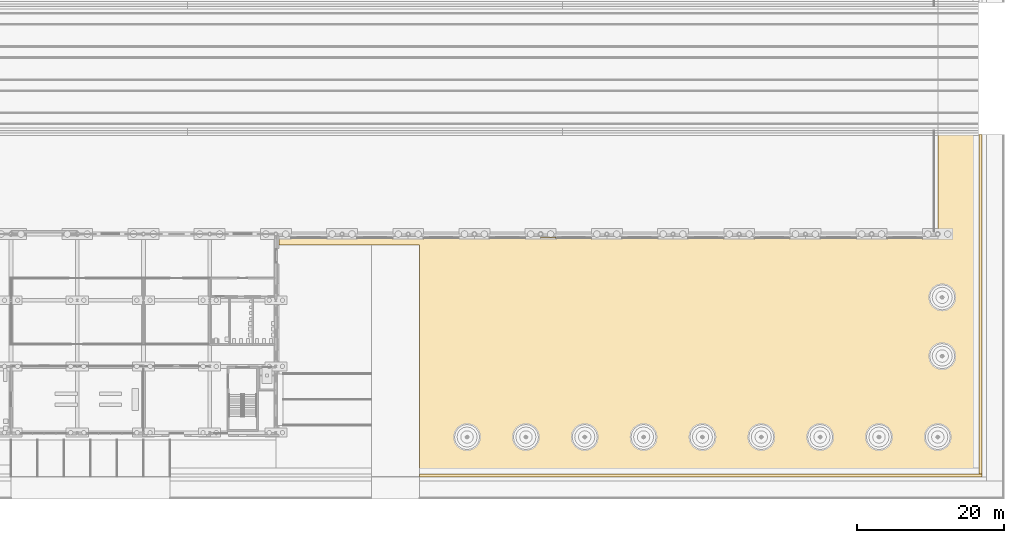
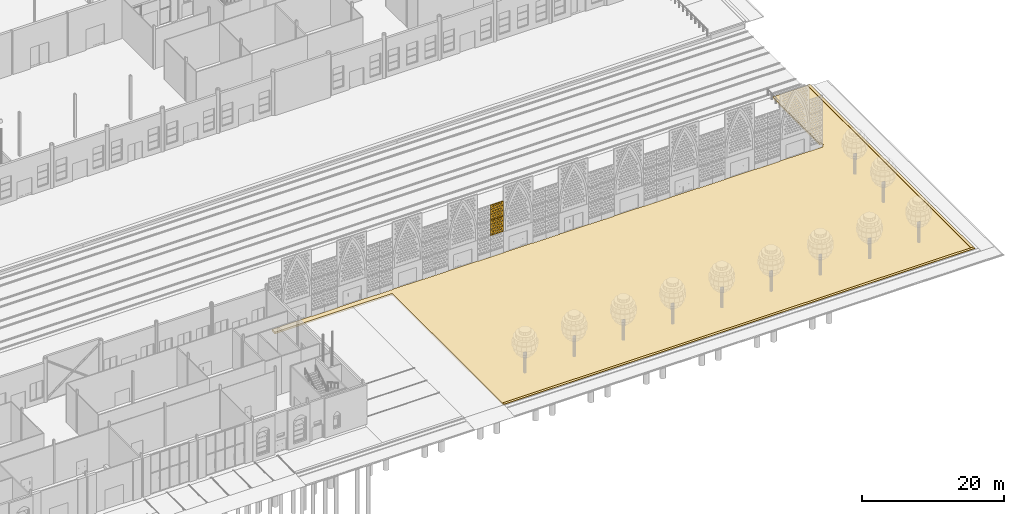
# One storey, part 197 of 250: 3 coverings, 2 shading devices.
"""IFC4 building model written with IfcOpenShell, lengths in metres."""

from ifc_helpers import new_model, si_unit, direction, frame, origin, place, context, subcontext, project, spatial, polyline, outline, extrude, material, layer, layer_set, type_object, element, save


model = new_model("IFC4")

# Units and contexts
model_context = context("Model", 3, precision=1e-05, world=origin(), true_north=direction((0.0, 1.0)))
body_context = subcontext(model_context, "Body", "Model", "MODEL_VIEW")
ifc_project = project(units=[si_unit("LENGTHUNIT", "METRE"), si_unit("AREAUNIT", "SQUARE_METRE"), si_unit("VOLUMEUNIT", "CUBIC_METRE"), si_unit("PLANEANGLEUNIT", "RADIAN"), si_unit("MASSUNIT", "GRAM", prefix="KILO")], contexts=[model_context])

# Site, building, storey
site_placement = place(None, origin())
site = spatial("IfcSite", under=ifc_project, at=site_placement, CompositionType="ELEMENT")
building_placement = place(site_placement, origin())
building = spatial("IfcBuilding", under=site, at=building_placement, Name="Baradari Gate Terminus", CompositionType="ELEMENT")
storey_placement = place(building_placement, origin())
storey = spatial("IfcBuildingStorey", under=building, at=storey_placement, Name="L00", CompositionType="ELEMENT", Elevation=0.0)

# Shading devices
ifc_material_1 = material(Name="Concrete C50/60 precast", Category="concrete")
ifc_layer_1 = layer(ifc_material_1, 0.1201171875)
ifc_layer_set_1 = layer_set([ifc_layer_1], Name="Concrete C50/60 precast")
shading_device_type = type_object("IfcShadingDeviceType", Name="Jali screen panel JS-2 120", PredefinedType="SHUTTER", material=ifc_layer_set_1)
shading_device_1_placement = place(storey_placement, frame((189.0, 35.52001953125, 3.52490234375), z_axis=(0.0, 0.0, 1.0), x_axis=(1.0, 0.0, 0.0)))
element("IfcShadingDevice", 1, at=shading_device_1_placement, inside=storey, type_object=shading_device_type, Name="Jali screen panel JS-2 SC04a row 2 panel 1", PredefinedType="SHUTTER", context=body_context, shape_type="SweptSolid", body=[
    extrude(outline(polyline([(0.0, 0.0), (2.10009765625, 0.0), (2.10009765625, 2.625), (0.0, 2.625), (0.0, 0.0)]), holes=[polyline([(0.340087890625, 0.21875), (0.27490234375, 0.106201171875), (0.14501953125, 0.106201171875), (0.080078125, 0.21875), (0.14501953125, 0.33154296875), (0.27490234375, 0.33154296875), (0.340087890625, 0.21875)]), polyline([(0.760009765625, 0.21875), (0.695068359375, 0.106201171875), (0.56494140625, 0.106201171875), (0.5, 0.21875), (0.56494140625, 0.33154296875), (0.695068359375, 0.33154296875), (0.760009765625, 0.21875)]), polyline([(1.179931640625, 0.21875), (1.114990234375, 0.106201171875), (0.985107421875, 0.106201171875), (0.919921875, 0.21875), (0.985107421875, 0.33154296875), (1.114990234375, 0.33154296875), (1.179931640625, 0.21875)]), polyline([(1.60009765625, 0.21875), (1.534912109375, 0.106201171875), (1.405029296875, 0.106201171875), (1.340087890625, 0.21875), (1.405029296875, 0.33154296875), (1.534912109375, 0.33154296875), (1.60009765625, 0.21875)]), polyline([(2.02001953125, 0.21875), (1.955078125, 0.106201171875), (1.824951171875, 0.106201171875), (1.760009765625, 0.21875), (1.824951171875, 0.33154296875), (1.955078125, 0.33154296875), (2.02001953125, 0.21875)]), polyline([(0.550048828125, 0.65625), (0.485107421875, 0.543701171875), (0.35498046875, 0.543701171875), (0.2900390625, 0.65625), (0.35498046875, 0.76904296875), (0.485107421875, 0.76904296875), (0.550048828125, 0.65625)]), polyline([(0.969970703125, 0.65625), (0.905029296875, 0.543701171875), (0.77490234375, 0.543701171875), (0.7099609375, 0.65625), (0.77490234375, 0.76904296875), (0.905029296875, 0.76904296875), (0.969970703125, 0.65625)]), polyline([(1.389892578125, 0.65625), (1.324951171875, 0.543701171875), (1.195068359375, 0.543701171875), (1.1298828125, 0.65625), (1.195068359375, 0.76904296875), (1.324951171875, 0.76904296875), (1.389892578125, 0.65625)]), polyline([(1.81005859375, 0.65625), (1.7451171875, 0.543701171875), (1.614990234375, 0.543701171875), (1.550048828125, 0.65625), (1.614990234375, 0.76904296875), (1.7451171875, 0.76904296875), (1.81005859375, 0.65625)]), polyline([(0.340087890625, 1.09375), (0.27490234375, 0.981201171875), (0.14501953125, 0.981201171875), (0.080078125, 1.09375), (0.14501953125, 1.20654296875), (0.27490234375, 1.20654296875), (0.340087890625, 1.09375)]), polyline([(0.760009765625, 1.09375), (0.695068359375, 0.981201171875), (0.56494140625, 0.981201171875), (0.5, 1.09375), (0.56494140625, 1.20654296875), (0.695068359375, 1.20654296875), (0.760009765625, 1.09375)]), polyline([(1.179931640625, 1.09375), (1.114990234375, 0.981201171875), (0.985107421875, 0.981201171875), (0.919921875, 1.09375), (0.985107421875, 1.20654296875), (1.114990234375, 1.20654296875), (1.179931640625, 1.09375)]), polyline([(1.60009765625, 1.09375), (1.534912109375, 0.981201171875), (1.405029296875, 0.981201171875), (1.340087890625, 1.09375), (1.405029296875, 1.20654296875), (1.534912109375, 1.20654296875), (1.60009765625, 1.09375)]), polyline([(2.02001953125, 1.09375), (1.955078125, 0.981201171875), (1.824951171875, 0.981201171875), (1.760009765625, 1.09375), (1.824951171875, 1.20654296875), (1.955078125, 1.20654296875), (2.02001953125, 1.09375)]), polyline([(0.550048828125, 1.53125), (0.485107421875, 1.418701171875), (0.35498046875, 1.418701171875), (0.2900390625, 1.53125), (0.35498046875, 1.64404296875), (0.485107421875, 1.64404296875), (0.550048828125, 1.53125)]), polyline([(0.969970703125, 1.53125), (0.905029296875, 1.418701171875), (0.77490234375, 1.418701171875), (0.7099609375, 1.53125), (0.77490234375, 1.64404296875), (0.905029296875, 1.64404296875), (0.969970703125, 1.53125)]), polyline([(1.389892578125, 1.53125), (1.324951171875, 1.418701171875), (1.195068359375, 1.418701171875), (1.1298828125, 1.53125), (1.195068359375, 1.64404296875), (1.324951171875, 1.64404296875), (1.389892578125, 1.53125)]), polyline([(1.81005859375, 1.53125), (1.7451171875, 1.418701171875), (1.614990234375, 1.418701171875), (1.550048828125, 1.53125), (1.614990234375, 1.64404296875), (1.7451171875, 1.64404296875), (1.81005859375, 1.53125)]), polyline([(0.340087890625, 1.96875), (0.27490234375, 1.856201171875), (0.14501953125, 1.856201171875), (0.080078125, 1.96875), (0.14501953125, 2.08154296875), (0.27490234375, 2.08154296875), (0.340087890625, 1.96875)]), polyline([(0.760009765625, 1.96875), (0.695068359375, 1.856201171875), (0.56494140625, 1.856201171875), (0.5, 1.96875), (0.56494140625, 2.08154296875), (0.695068359375, 2.08154296875), (0.760009765625, 1.96875)]), polyline([(1.179931640625, 1.96875), (1.114990234375, 1.856201171875), (0.985107421875, 1.856201171875), (0.919921875, 1.96875), (0.985107421875, 2.08154296875), (1.114990234375, 2.08154296875), (1.179931640625, 1.96875)]), polyline([(1.60009765625, 1.96875), (1.534912109375, 1.856201171875), (1.405029296875, 1.856201171875), (1.340087890625, 1.96875), (1.405029296875, 2.08154296875), (1.534912109375, 2.08154296875), (1.60009765625, 1.96875)]), polyline([(2.02001953125, 1.96875), (1.955078125, 1.856201171875), (1.824951171875, 1.856201171875), (1.760009765625, 1.96875), (1.824951171875, 2.08154296875), (1.955078125, 2.08154296875), (2.02001953125, 1.96875)]), polyline([(0.550048828125, 2.40625), (0.485107421875, 2.293701171875), (0.35498046875, 2.293701171875), (0.2900390625, 2.40625), (0.35498046875, 2.51904296875), (0.485107421875, 2.51904296875), (0.550048828125, 2.40625)]), polyline([(0.969970703125, 2.40625), (0.905029296875, 2.293701171875), (0.77490234375, 2.293701171875), (0.7099609375, 2.40625), (0.77490234375, 2.51904296875), (0.905029296875, 2.51904296875), (0.969970703125, 2.40625)]), polyline([(1.389892578125, 2.40625), (1.324951171875, 2.293701171875), (1.195068359375, 2.293701171875), (1.1298828125, 2.40625), (1.195068359375, 2.51904296875), (1.324951171875, 2.51904296875), (1.389892578125, 2.40625)]), polyline([(1.81005859375, 2.40625), (1.7451171875, 2.293701171875), (1.614990234375, 2.293701171875), (1.550048828125, 2.40625), (1.614990234375, 2.51904296875), (1.7451171875, 2.51904296875), (1.81005859375, 2.40625)])]), frame((0.0, 0.06005859375, 0.0), z_axis=(0.0, -1.0, 0.0), x_axis=(1.0, 0.0, 0.0)), (0.0, 0.0, 1.0), 0.1201171875),
])
shading_device_2_placement = place(storey_placement, frame((189.0, 35.52001953125, 6.14990234375), z_axis=(0.0, 0.0, 1.0), x_axis=(1.0, 0.0, 0.0)))
element("IfcShadingDevice", 2, at=shading_device_2_placement, inside=storey, type_object=shading_device_type, Name="Jali screen panel JS-2 SC04a row 3 panel 1", PredefinedType="SHUTTER", context=body_context, shape_type="SweptSolid", body=[
    extrude(outline(polyline([(0.0, 0.0), (2.10009765625, 0.0), (2.10009765625, 2.625), (0.0, 2.625), (0.0, 0.0)]), holes=[polyline([(0.340087890625, 0.21875), (0.27490234375, 0.106201171875), (0.14501953125, 0.106201171875), (0.080078125, 0.21875), (0.14501953125, 0.33154296875), (0.27490234375, 0.33154296875), (0.340087890625, 0.21875)]), polyline([(0.760009765625, 0.21875), (0.695068359375, 0.106201171875), (0.56494140625, 0.106201171875), (0.5, 0.21875), (0.56494140625, 0.33154296875), (0.695068359375, 0.33154296875), (0.760009765625, 0.21875)]), polyline([(1.179931640625, 0.21875), (1.114990234375, 0.106201171875), (0.985107421875, 0.106201171875), (0.919921875, 0.21875), (0.985107421875, 0.33154296875), (1.114990234375, 0.33154296875), (1.179931640625, 0.21875)]), polyline([(1.60009765625, 0.21875), (1.534912109375, 0.106201171875), (1.405029296875, 0.106201171875), (1.340087890625, 0.21875), (1.405029296875, 0.33154296875), (1.534912109375, 0.33154296875), (1.60009765625, 0.21875)]), polyline([(2.02001953125, 0.21875), (1.955078125, 0.106201171875), (1.824951171875, 0.106201171875), (1.760009765625, 0.21875), (1.824951171875, 0.33154296875), (1.955078125, 0.33154296875), (2.02001953125, 0.21875)]), polyline([(0.550048828125, 0.65625), (0.485107421875, 0.543701171875), (0.35498046875, 0.543701171875), (0.2900390625, 0.65625), (0.35498046875, 0.76904296875), (0.485107421875, 0.76904296875), (0.550048828125, 0.65625)]), polyline([(0.969970703125, 0.65625), (0.905029296875, 0.543701171875), (0.77490234375, 0.543701171875), (0.7099609375, 0.65625), (0.77490234375, 0.76904296875), (0.905029296875, 0.76904296875), (0.969970703125, 0.65625)]), polyline([(1.389892578125, 0.65625), (1.324951171875, 0.543701171875), (1.195068359375, 0.543701171875), (1.1298828125, 0.65625), (1.195068359375, 0.76904296875), (1.324951171875, 0.76904296875), (1.389892578125, 0.65625)]), polyline([(1.81005859375, 0.65625), (1.7451171875, 0.543701171875), (1.614990234375, 0.543701171875), (1.550048828125, 0.65625), (1.614990234375, 0.76904296875), (1.7451171875, 0.76904296875), (1.81005859375, 0.65625)]), polyline([(0.340087890625, 1.09375), (0.27490234375, 0.981201171875), (0.14501953125, 0.981201171875), (0.080078125, 1.09375), (0.14501953125, 1.20654296875), (0.27490234375, 1.20654296875), (0.340087890625, 1.09375)]), polyline([(0.760009765625, 1.09375), (0.695068359375, 0.981201171875), (0.56494140625, 0.981201171875), (0.5, 1.09375), (0.56494140625, 1.20654296875), (0.695068359375, 1.20654296875), (0.760009765625, 1.09375)]), polyline([(1.179931640625, 1.09375), (1.114990234375, 0.981201171875), (0.985107421875, 0.981201171875), (0.919921875, 1.09375), (0.985107421875, 1.20654296875), (1.114990234375, 1.20654296875), (1.179931640625, 1.09375)]), polyline([(1.60009765625, 1.09375), (1.534912109375, 0.981201171875), (1.405029296875, 0.981201171875), (1.340087890625, 1.09375), (1.405029296875, 1.20654296875), (1.534912109375, 1.20654296875), (1.60009765625, 1.09375)]), polyline([(2.02001953125, 1.09375), (1.955078125, 0.981201171875), (1.824951171875, 0.981201171875), (1.760009765625, 1.09375), (1.824951171875, 1.20654296875), (1.955078125, 1.20654296875), (2.02001953125, 1.09375)]), polyline([(0.550048828125, 1.53125), (0.485107421875, 1.418701171875), (0.35498046875, 1.418701171875), (0.2900390625, 1.53125), (0.35498046875, 1.64404296875), (0.485107421875, 1.64404296875), (0.550048828125, 1.53125)]), polyline([(0.969970703125, 1.53125), (0.905029296875, 1.418701171875), (0.77490234375, 1.418701171875), (0.7099609375, 1.53125), (0.77490234375, 1.64404296875), (0.905029296875, 1.64404296875), (0.969970703125, 1.53125)]), polyline([(1.389892578125, 1.53125), (1.324951171875, 1.418701171875), (1.195068359375, 1.418701171875), (1.1298828125, 1.53125), (1.195068359375, 1.64404296875), (1.324951171875, 1.64404296875), (1.389892578125, 1.53125)]), polyline([(1.81005859375, 1.53125), (1.7451171875, 1.418701171875), (1.614990234375, 1.418701171875), (1.550048828125, 1.53125), (1.614990234375, 1.64404296875), (1.7451171875, 1.64404296875), (1.81005859375, 1.53125)]), polyline([(0.340087890625, 1.96875), (0.27490234375, 1.856201171875), (0.14501953125, 1.856201171875), (0.080078125, 1.96875), (0.14501953125, 2.08154296875), (0.27490234375, 2.08154296875), (0.340087890625, 1.96875)]), polyline([(0.760009765625, 1.96875), (0.695068359375, 1.856201171875), (0.56494140625, 1.856201171875), (0.5, 1.96875), (0.56494140625, 2.08154296875), (0.695068359375, 2.08154296875), (0.760009765625, 1.96875)]), polyline([(1.179931640625, 1.96875), (1.114990234375, 1.856201171875), (0.985107421875, 1.856201171875), (0.919921875, 1.96875), (0.985107421875, 2.08154296875), (1.114990234375, 2.08154296875), (1.179931640625, 1.96875)]), polyline([(1.60009765625, 1.96875), (1.534912109375, 1.856201171875), (1.405029296875, 1.856201171875), (1.340087890625, 1.96875), (1.405029296875, 2.08154296875), (1.534912109375, 2.08154296875), (1.60009765625, 1.96875)]), polyline([(2.02001953125, 1.96875), (1.955078125, 1.856201171875), (1.824951171875, 1.856201171875), (1.760009765625, 1.96875), (1.824951171875, 2.08154296875), (1.955078125, 2.08154296875), (2.02001953125, 1.96875)]), polyline([(0.550048828125, 2.40625), (0.485107421875, 2.293701171875), (0.35498046875, 2.293701171875), (0.2900390625, 2.40625), (0.35498046875, 2.51904296875), (0.485107421875, 2.51904296875), (0.550048828125, 2.40625)]), polyline([(0.969970703125, 2.40625), (0.905029296875, 2.293701171875), (0.77490234375, 2.293701171875), (0.7099609375, 2.40625), (0.77490234375, 2.51904296875), (0.905029296875, 2.51904296875), (0.969970703125, 2.40625)]), polyline([(1.389892578125, 2.40625), (1.324951171875, 2.293701171875), (1.195068359375, 2.293701171875), (1.1298828125, 2.40625), (1.195068359375, 2.51904296875), (1.324951171875, 2.51904296875), (1.389892578125, 2.40625)]), polyline([(1.81005859375, 2.40625), (1.7451171875, 2.293701171875), (1.614990234375, 2.293701171875), (1.550048828125, 2.40625), (1.614990234375, 2.51904296875), (1.7451171875, 2.51904296875), (1.81005859375, 2.40625)])]), frame((0.0, 0.06005859375, 0.0), z_axis=(0.0, -1.0, 0.0), x_axis=(1.0, 0.0, 0.0)), (0.0, 0.0, 1.0), 0.1201171875),
])

# Coverings
ifc_material_2 = material(Name="Planted lawn")
ifc_layer_2 = layer(ifc_material_2, 0.300048828125)
ifc_layer_set_2 = layer_set([ifc_layer_2], Name="Planted lawn")
covering_type_1 = type_object("IfcCoveringType", Name="Planted lawn bed LW-1 300", PredefinedType="USERDEFINED", material=ifc_layer_set_2)
covering_1_placement = place(storey_placement, frame((0.0, 0.0, -0.300048828125)))
element("IfcCovering", 3, at=covering_1_placement, inside=storey, type_object=covering_type_1, Name="Planted lawn 2", ObjectType="LAWN", PredefinedType="USERDEFINED", context=body_context, shape_type="SweptSolid", body=[
    extrude(outline(polyline([(248.60009765625, 3.39990234375), (248.60009765625, 49.5), (243.0, 49.5), (243.0, 36.3349609375), (243.304931640625, 36.3349609375), (243.307861328125, 36.3349609375), (243.310791015625, 36.33447265625), (243.313720703125, 36.333740234375), (243.31640625, 36.332763671875), (243.319091796875, 36.33154296875), (243.32177734375, 36.329833984375), (243.323974609375, 36.328125), (243.326171875, 36.326171875), (243.328125, 36.323974609375), (243.329833984375, 36.32177734375), (243.33154296875, 36.319091796875), (243.332763671875, 36.31640625), (243.333740234375, 36.313720703125), (243.33447265625, 36.310791015625), (243.3349609375, 36.307861328125), (243.3349609375, 36.304931640625), (243.3349609375, 35.695068359375), (243.3349609375, 35.692138671875), (243.33447265625, 35.689208984375), (243.333740234375, 35.686279296875), (243.332763671875, 35.68359375), (243.33154296875, 35.680908203125), (243.329833984375, 35.67822265625), (243.328125, 35.676025390625), (243.326171875, 35.673828125), (243.323974609375, 35.671875), (243.32177734375, 35.670166015625), (243.319091796875, 35.66845703125), (243.31640625, 35.667236328125), (243.313720703125, 35.666259765625), (243.310791015625, 35.66552734375), (243.307861328125, 35.6650390625), (243.304931640625, 35.6650390625), (243.030029296875, 35.6650390625), (243.030029296875, 35.344970703125), (243.02978515625, 35.342041015625), (243.029541015625, 35.339111328125), (243.02880859375, 35.336181640625), (243.02783203125, 35.33349609375), (243.0263671875, 35.330810546875), (243.02490234375, 35.328369140625), (243.023193359375, 35.325927734375), (243.021240234375, 35.32373046875), (243.01904296875, 35.32177734375), (243.0166015625, 35.320068359375), (243.01416015625, 35.318603515625), (243.011474609375, 35.3173828125), (243.0087890625, 35.31640625), (243.005859375, 35.315673828125), (243.0029296875, 35.315185546875), (243.0, 35.31494140625), (240.89990234375, 35.31494140625), (240.89697265625, 35.315185546875), (240.89404296875, 35.315673828125), (240.891357421875, 35.31640625), (240.888427734375, 35.3173828125), (240.8857421875, 35.318603515625), (240.88330078125, 35.320068359375), (240.880859375, 35.32177734375), (240.87890625, 35.32373046875), (240.876708984375, 35.325927734375), (240.875, 35.328369140625), (240.87353515625, 35.330810546875), (240.872314453125, 35.33349609375), (240.871337890625, 35.336181640625), (240.87060546875, 35.339111328125), (240.8701171875, 35.342041015625), (240.8701171875, 35.344970703125), (240.8701171875, 35.364990234375), (236.1298828125, 35.364990234375), (236.1298828125, 35.344970703125), (236.1298828125, 35.342041015625), (236.12939453125, 35.339111328125), (236.128662109375, 35.336181640625), (236.127685546875, 35.33349609375), (236.12646484375, 35.330810546875), (236.125, 35.328369140625), (236.123291015625, 35.325927734375), (236.12109375, 35.32373046875), (236.119140625, 35.32177734375), (236.11669921875, 35.320068359375), (236.1142578125, 35.318603515625), (236.111572265625, 35.3173828125), (236.108642578125, 35.31640625), (236.10595703125, 35.315673828125), (236.10302734375, 35.315185546875), (236.10009765625, 35.31494140625), (234.0, 35.31494140625), (231.89990234375, 35.31494140625), (231.89697265625, 35.315185546875), (231.89404296875, 35.315673828125), (231.891357421875, 35.31640625), (231.888427734375, 35.3173828125), (231.8857421875, 35.318603515625), (231.88330078125, 35.320068359375), (231.880859375, 35.32177734375), (231.87890625, 35.32373046875), (231.876708984375, 35.325927734375), (231.875, 35.328369140625), (231.87353515625, 35.330810546875), (231.872314453125, 35.33349609375), (231.871337890625, 35.336181640625), (231.87060546875, 35.339111328125), (231.8701171875, 35.342041015625), (231.8701171875, 35.344970703125), (231.8701171875, 35.364990234375), (227.1298828125, 35.364990234375), (227.1298828125, 35.344970703125), (227.1298828125, 35.342041015625), (227.12939453125, 35.339111328125), (227.128662109375, 35.336181640625), (227.127685546875, 35.33349609375), (227.12646484375, 35.330810546875), (227.125, 35.328369140625), (227.123291015625, 35.325927734375), (227.12109375, 35.32373046875), (227.119140625, 35.32177734375), (227.11669921875, 35.320068359375), (227.1142578125, 35.318603515625), (227.111572265625, 35.3173828125), (227.108642578125, 35.31640625), (227.10595703125, 35.315673828125), (227.10302734375, 35.315185546875), (227.10009765625, 35.31494140625), (225.0, 35.31494140625), (222.89990234375, 35.31494140625), (222.89697265625, 35.315185546875), (222.89404296875, 35.315673828125), (222.891357421875, 35.31640625), (222.888427734375, 35.3173828125), (222.8857421875, 35.318603515625), (222.88330078125, 35.320068359375), (222.880859375, 35.32177734375), (222.87890625, 35.32373046875), (222.876708984375, 35.325927734375), (222.875, 35.328369140625), (222.87353515625, 35.330810546875), (222.872314453125, 35.33349609375), (222.871337890625, 35.336181640625), (222.87060546875, 35.339111328125), (222.8701171875, 35.342041015625), (222.8701171875, 35.344970703125), (222.8701171875, 35.364990234375), (218.1298828125, 35.364990234375), (218.1298828125, 35.344970703125), (218.1298828125, 35.342041015625), (218.12939453125, 35.339111328125), (218.128662109375, 35.336181640625), (218.127685546875, 35.33349609375), (218.12646484375, 35.330810546875), (218.125, 35.328369140625), (218.123291015625, 35.325927734375), (218.12109375, 35.32373046875), (218.119140625, 35.32177734375), (218.11669921875, 35.320068359375), (218.1142578125, 35.318603515625), (218.111572265625, 35.3173828125), (218.108642578125, 35.31640625), (218.10595703125, 35.315673828125), (218.10302734375, 35.315185546875), (218.10009765625, 35.31494140625), (216.0, 35.31494140625), (213.89990234375, 35.31494140625), (213.89697265625, 35.315185546875), (213.89404296875, 35.315673828125), (213.891357421875, 35.31640625), (213.888427734375, 35.3173828125), (213.8857421875, 35.318603515625), (213.88330078125, 35.320068359375), (213.880859375, 35.32177734375), (213.87890625, 35.32373046875), (213.876708984375, 35.325927734375), (213.875, 35.328369140625), (213.87353515625, 35.330810546875), (213.872314453125, 35.33349609375), (213.871337890625, 35.336181640625), (213.87060546875, 35.339111328125), (213.8701171875, 35.342041015625), (213.8701171875, 35.344970703125), (213.8701171875, 35.364990234375), (209.1298828125, 35.364990234375), (209.1298828125, 35.344970703125), (209.1298828125, 35.342041015625), (209.12939453125, 35.339111328125), (209.128662109375, 35.336181640625), (209.127685546875, 35.33349609375), (209.12646484375, 35.330810546875), (209.125, 35.328369140625), (209.123291015625, 35.325927734375), (209.12109375, 35.32373046875), (209.119140625, 35.32177734375), (209.11669921875, 35.320068359375), (209.1142578125, 35.318603515625), (209.111572265625, 35.3173828125), (209.108642578125, 35.31640625), (209.10595703125, 35.315673828125), (209.10302734375, 35.315185546875), (209.10009765625, 35.31494140625), (207.0, 35.31494140625), (204.89990234375, 35.31494140625), (204.89697265625, 35.315185546875), (204.89404296875, 35.315673828125), (204.891357421875, 35.31640625), (204.888427734375, 35.3173828125), (204.8857421875, 35.318603515625), (204.88330078125, 35.320068359375), (204.880859375, 35.32177734375), (204.87890625, 35.32373046875), (204.876708984375, 35.325927734375), (204.875, 35.328369140625), (204.87353515625, 35.330810546875), (204.872314453125, 35.33349609375), (204.871337890625, 35.336181640625), (204.87060546875, 35.339111328125), (204.8701171875, 35.342041015625), (204.8701171875, 35.344970703125), (204.8701171875, 35.364990234375), (200.1298828125, 35.364990234375), (200.1298828125, 35.344970703125), (200.1298828125, 35.342041015625), (200.12939453125, 35.339111328125), (200.128662109375, 35.336181640625), (200.127685546875, 35.33349609375), (200.12646484375, 35.330810546875), (200.125, 35.328369140625), (200.123291015625, 35.325927734375), (200.12109375, 35.32373046875), (200.119140625, 35.32177734375), (200.11669921875, 35.320068359375), (200.1142578125, 35.318603515625), (200.111572265625, 35.3173828125), (200.108642578125, 35.31640625), (200.10595703125, 35.315673828125), (200.10302734375, 35.315185546875), (200.10009765625, 35.31494140625), (198.0, 35.31494140625), (195.89990234375, 35.31494140625), (195.89697265625, 35.315185546875), (195.89404296875, 35.315673828125), (195.891357421875, 35.31640625), (195.888427734375, 35.3173828125), (195.8857421875, 35.318603515625), (195.88330078125, 35.320068359375), (195.880859375, 35.32177734375), (195.87890625, 35.32373046875), (195.876708984375, 35.325927734375), (195.875, 35.328369140625), (195.87353515625, 35.330810546875), (195.872314453125, 35.33349609375), (195.871337890625, 35.336181640625), (195.87060546875, 35.339111328125), (195.8701171875, 35.342041015625), (195.8701171875, 35.344970703125), (195.8701171875, 35.364990234375), (191.1298828125, 35.364990234375), (191.1298828125, 35.344970703125), (191.1298828125, 35.342041015625), (191.12939453125, 35.339111328125), (191.128662109375, 35.336181640625), (191.127685546875, 35.33349609375), (191.12646484375, 35.330810546875), (191.125, 35.328369140625), (191.123291015625, 35.325927734375), (191.12109375, 35.32373046875), (191.119140625, 35.32177734375), (191.11669921875, 35.320068359375), (191.1142578125, 35.318603515625), (191.111572265625, 35.3173828125), (191.108642578125, 35.31640625), (191.10595703125, 35.315673828125), (191.10302734375, 35.315185546875), (191.10009765625, 35.31494140625), (189.0, 35.31494140625), (186.89990234375, 35.31494140625), (186.89697265625, 35.315185546875), (186.89404296875, 35.315673828125), (186.891357421875, 35.31640625), (186.888427734375, 35.3173828125), (186.8857421875, 35.318603515625), (186.88330078125, 35.320068359375), (186.880859375, 35.32177734375), (186.87890625, 35.32373046875), (186.876708984375, 35.325927734375), (186.875, 35.328369140625), (186.87353515625, 35.330810546875), (186.872314453125, 35.33349609375), (186.871337890625, 35.336181640625), (186.87060546875, 35.339111328125), (186.8701171875, 35.342041015625), (186.8701171875, 35.344970703125), (186.8701171875, 35.364990234375), (182.1298828125, 35.364990234375), (182.1298828125, 35.344970703125), (182.1298828125, 35.342041015625), (182.12939453125, 35.339111328125), (182.128662109375, 35.336181640625), (182.127685546875, 35.33349609375), (182.12646484375, 35.330810546875), (182.125, 35.328369140625), (182.123291015625, 35.325927734375), (182.12109375, 35.32373046875), (182.119140625, 35.32177734375), (182.11669921875, 35.320068359375), (182.1142578125, 35.318603515625), (182.111572265625, 35.3173828125), (182.108642578125, 35.31640625), (182.10595703125, 35.315673828125), (182.10302734375, 35.315185546875), (182.10009765625, 35.31494140625), (180.0, 35.31494140625), (177.89990234375, 35.31494140625), (177.89697265625, 35.315185546875), (177.89404296875, 35.315673828125), (177.891357421875, 35.31640625), (177.888427734375, 35.3173828125), (177.8857421875, 35.318603515625), (177.88330078125, 35.320068359375), (177.880859375, 35.32177734375), (177.87890625, 35.32373046875), (177.876708984375, 35.325927734375), (177.875, 35.328369140625), (177.87353515625, 35.330810546875), (177.872314453125, 35.33349609375), (177.871337890625, 35.336181640625), (177.87060546875, 35.339111328125), (177.8701171875, 35.342041015625), (177.8701171875, 35.344970703125), (177.8701171875, 35.364990234375), (173.1298828125, 35.364990234375), (173.1298828125, 35.344970703125), (173.1298828125, 35.342041015625), (173.12939453125, 35.339111328125), (173.128662109375, 35.336181640625), (173.127685546875, 35.33349609375), (173.12646484375, 35.330810546875), (173.125, 35.328369140625), (173.123291015625, 35.325927734375), (173.12109375, 35.32373046875), (173.119140625, 35.32177734375), (173.11669921875, 35.320068359375), (173.1142578125, 35.318603515625), (173.111572265625, 35.3173828125), (173.108642578125, 35.31640625), (173.10595703125, 35.315673828125), (173.10302734375, 35.315185546875), (173.10009765625, 35.31494140625), (171.0, 35.31494140625), (168.89990234375, 35.31494140625), (168.89697265625, 35.315185546875), (168.89404296875, 35.315673828125), (168.891357421875, 35.31640625), (168.888427734375, 35.3173828125), (168.8857421875, 35.318603515625), (168.88330078125, 35.320068359375), (168.880859375, 35.32177734375), (168.87890625, 35.32373046875), (168.876708984375, 35.325927734375), (168.875, 35.328369140625), (168.87353515625, 35.330810546875), (168.872314453125, 35.33349609375), (168.871337890625, 35.336181640625), (168.87060546875, 35.339111328125), (168.8701171875, 35.342041015625), (168.8701171875, 35.344970703125), (168.8701171875, 35.364990234375), (164.1298828125, 35.364990234375), (164.1298828125, 35.344970703125), (164.1298828125, 35.342041015625), (164.12939453125, 35.339111328125), (164.128662109375, 35.336181640625), (164.127685546875, 35.33349609375), (164.12646484375, 35.330810546875), (164.125, 35.328369140625), (164.123291015625, 35.325927734375), (164.12109375, 35.32373046875), (164.119140625, 35.32177734375), (164.11669921875, 35.320068359375), (164.1142578125, 35.318603515625), (164.111572265625, 35.3173828125), (164.108642578125, 35.31640625), (164.10595703125, 35.315673828125), (164.10302734375, 35.315185546875), (164.10009765625, 35.31494140625), (162.0, 35.31494140625), (159.89990234375, 35.31494140625), (159.89697265625, 35.315185546875), (159.89404296875, 35.315673828125), (159.891357421875, 35.31640625), (159.888427734375, 35.3173828125), (159.8857421875, 35.318603515625), (159.88330078125, 35.320068359375), (159.880859375, 35.32177734375), (159.87890625, 35.32373046875), (159.876708984375, 35.325927734375), (159.875, 35.328369140625), (159.87353515625, 35.330810546875), (159.872314453125, 35.33349609375), (159.871337890625, 35.336181640625), (159.87060546875, 35.339111328125), (159.8701171875, 35.342041015625), (159.8701171875, 35.344970703125), (159.8701171875, 35.364990234375), (155.1298828125, 35.364990234375), (155.1298828125, 35.344970703125), (155.1298828125, 35.342041015625), (155.12939453125, 35.339111328125), (155.128662109375, 35.336181640625), (155.127685546875, 35.33349609375), (155.12646484375, 35.330810546875), (155.125, 35.328369140625), (155.123291015625, 35.325927734375), (155.12109375, 35.32373046875), (155.119140625, 35.32177734375), (155.11669921875, 35.320068359375), (155.1142578125, 35.318603515625), (155.111572265625, 35.3173828125), (155.108642578125, 35.31640625), (155.10595703125, 35.315673828125), (155.10302734375, 35.315185546875), (155.10009765625, 35.31494140625), (153.43994140625, 35.31494140625), (153.43994140625, 34.5), (166.0, 34.5), (172.5, 34.5), (172.5, 3.39990234375), (248.60009765625, 3.39990234375)])), origin(), (0.0, 0.0, 1.0), 0.300048828125),
])
ifc_material_3 = material(Name="Sandstone", Category="masonry")
ifc_layer_3 = layer(ifc_material_3, 0.080078125)
ifc_layer_set_3 = layer_set([ifc_layer_3], Name="Sandstone")
covering_type_2 = type_object("IfcCoveringType", Name="Stone coping CG-1 80", PredefinedType="CLADDING", material=ifc_layer_set_3)
covering_2_placement = place(storey_placement, origin())
element("IfcCovering", 4, at=covering_2_placement, inside=storey, type_object=covering_type_2, Name="Stone coping S4", PredefinedType="CLADDING", context=body_context, shape_type="SweptSolid", body=[
    extrude(outline(polyline([(249.0, 3.0), (249.0, 3.39990234375), (172.5, 3.39990234375), (172.5, 3.0), (249.0, 3.0)])), origin(), (0.0, 0.0, 1.0), 0.080078125),
])
covering_3_placement = place(storey_placement, origin())
element("IfcCovering", 5, at=covering_3_placement, inside=storey, type_object=covering_type_2, Name="Stone coping E1", PredefinedType="CLADDING", context=body_context, shape_type="SweptSolid", body=[
    extrude(outline(polyline([(249.0, 3.39990234375), (249.0, 49.5), (248.60009765625, 49.5), (248.60009765625, 3.39990234375), (249.0, 3.39990234375)])), origin(), (0.0, 0.0, 1.0), 0.080078125),
])

save(model, "model.ifc")
